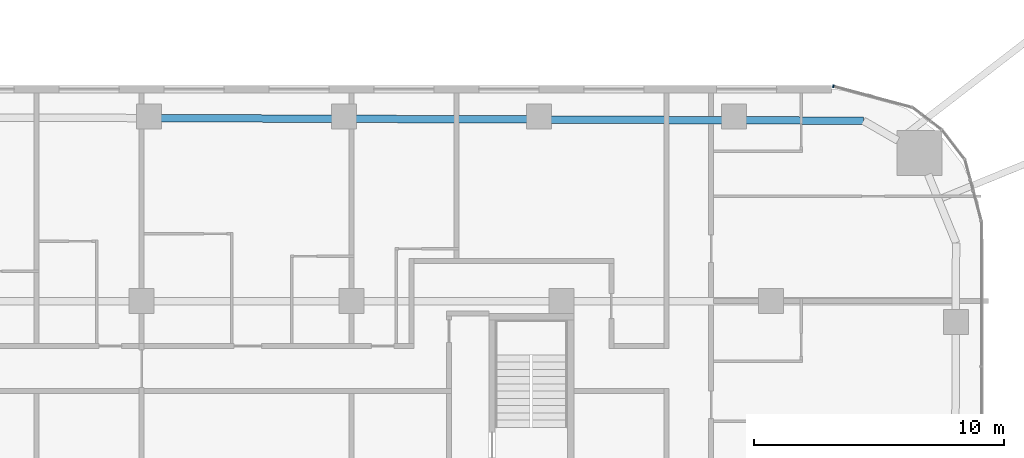
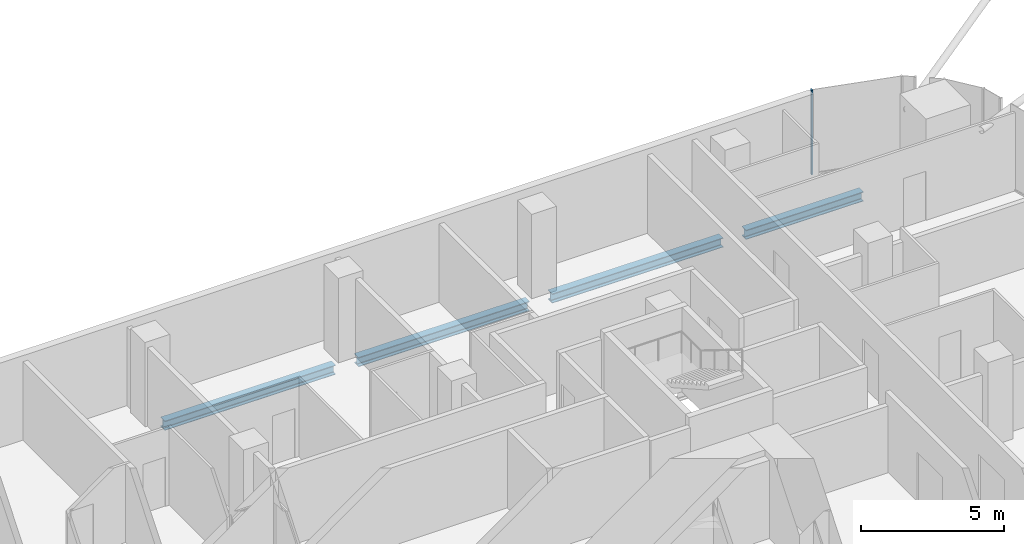
# One storey, part 13 of 38: 4 beams, 1 member, 1 element without a shape of its own.
"""IFC4 building model written with IfcOpenShell, lengths in metres."""

from ifc_helpers import new_model, si_unit, direction, frame, origin, origin_2d, place, context, subcontext, project, spatial, rectangle, i_section, extrude, material, layer, layer_set, material_profile, profile_set, type_object, element, aggregate, save


model = new_model("IFC4")

# Units and contexts
model_context = context("Model", 3, precision=1e-05, world=origin(), true_north=direction((0.0, 1.0)))
body_context = subcontext(model_context, "Body", "Model", "MODEL_VIEW")
ifc_project = project(units=[si_unit("LENGTHUNIT", "METRE"), si_unit("AREAUNIT", "SQUARE_METRE"), si_unit("VOLUMEUNIT", "CUBIC_METRE"), si_unit("PLANEANGLEUNIT", "RADIAN"), si_unit("MASSUNIT", "GRAM", prefix="KILO")], contexts=[model_context])

# Site, building, storey
site_placement = place(None, origin())
site = spatial("IfcSite", under=ifc_project, at=site_placement, CompositionType="ELEMENT")
building_placement = place(site_placement, origin())
building = spatial("IfcBuilding", under=site, at=building_placement, Name="Marenta Gate Hotel Tower", CompositionType="ELEMENT")
storey_placement = place(building_placement, frame((0.0, 0.0, 54.5)))
storey = spatial("IfcBuildingStorey", under=building, at=storey_placement, Name="L11", CompositionType="ELEMENT", Elevation=54.5)

# Beams
ifc_material_1 = material(Name="Steel S355", Category="steel")
ifc_material_profile_1 = material_profile(ifc_material_1, i_section(OverallWidth=0.300048828125, OverallDepth=0.39990234375, WebThickness=0.013427734375, FlangeThickness=0.02392578125, FilletRadius=0.027099609375, at=origin_2d()), Name="HEB 400")
ifc_profile_set_1 = profile_set([ifc_material_profile_1], Name="Steel S355")
beam_type = type_object("IfcBeamType", Name="Edge beam HEB 400", PredefinedType="SPANDREL", material=ifc_profile_set_1)
for number, where, z_axis, x_axis, name in (
    (1, (-3.44140625, 32.52587890625, -0.4599609375), (0.999993195747, -0.003688964684, 0.0), (0.003688964684, 0.999993195747, 0.0), "L11-EB-16"),
    (2, (4.361328125, 32.4970703125, -0.4599609375), (0.999993064268, -0.003724435008, 0.0), (0.003724435008, 0.999993064268, 0.0), "L11-EB-17"),
    (3, (12.1640625, 32.468017578125, -0.4599609375), (0.999993064268, -0.003724435008, 0.0), (0.003724435008, 0.999993064268, 0.0), "L11-EB-18"),
):
    element("IfcBeam", number, at=place(storey_placement, frame(where, z_axis=z_axis, x_axis=x_axis)), inside=storey, type_object=beam_type, Name=name, PredefinedType="SPANDREL", context=body_context, shape_type="SweptSolid", body=[
        extrude(i_section(OverallWidth=0.300048828125, OverallDepth=0.39990234375, WebThickness=0.013427734375, FlangeThickness=0.02392578125, FilletRadius=0.027099609375, at=origin_2d()), origin(), (0.0, 0.0, 1.0), 6.8828125),
    ])
beam_placement = place(storey_placement, frame((19.966796875, 32.43896484375, -0.4599609375), z_axis=(0.999993080272, -0.003720135464, 0.0), x_axis=(0.003720135464, 0.999993080272, 0.0)))
element("IfcBeam", 4, at=beam_placement, inside=storey, type_object=beam_type, Name="L11-EB-19", PredefinedType="SPANDREL", context=body_context, shape_type="SweptSolid", body=[
    extrude(i_section(OverallWidth=0.300048828125, OverallDepth=0.39990234375, WebThickness=0.013427734375, FlangeThickness=0.02392578125, FilletRadius=0.027099609375, at=origin_2d()), origin(), (0.0, 0.0, 1.0), 4.72509765625),
])

# Curtain wall, member
ifc_material_2 = material(Name="Tinted insulated glass in bronze anodised frame", Category="glass")
ifc_layer = layer(ifc_material_2, 0.1201171875)
ifc_layer_set = layer_set([ifc_layer], Name="Tinted insulated glass in bronze anodised frame")
curtain_wall_type = type_object("IfcCurtainWallType", Name="Tower unitised curtain wall CW1", PredefinedType="NOTDEFINED", material=ifc_layer_set)
curtain_wall_placement = place(storey_placement, origin())
curtain_wall = element("IfcCurtainWall", 5, at=curtain_wall_placement, inside=storey, type_object=curtain_wall_type, Name="CW1 run G42", PredefinedType="NOTDEFINED")
ifc_material_3 = material(Name="Bronze anodised aluminium", Category="aluminium")
ifc_material_profile_2 = material_profile(ifc_material_3, rectangle(XDim=0.1201171875, YDim=0.06005859375, at=origin_2d()), Name="Mullion CW1 60x120 bronze anodised aluminium")
ifc_profile_set_2 = profile_set([ifc_material_profile_2], Name="Bronze anodised aluminium")
member_type = type_object("IfcMemberType", Name="Mullion CW1 60x120 bronze anodised aluminium", PredefinedType="MULLION", material=ifc_profile_set_2)
member_placement = place(storey_placement, frame((23.485595703125, 33.80322265625, 0.0), z_axis=(0.0, 0.0, 1.0), x_axis=(-0.258807310344, -0.965928970532, 0.0)))
member = element("IfcMember", 6, at=member_placement, type_object=member_type, Name="CW1 mullion 2", PredefinedType="MULLION", context=body_context, shape_type="SweptSolid", body=[
    extrude(rectangle(XDim=0.1201171875, YDim=0.06005859375, at=origin_2d()), origin(), (0.0, 0.0, 1.0), 3.60009765625),
])
aggregate(curtain_wall, [member])

save(model, "model.ifc")
